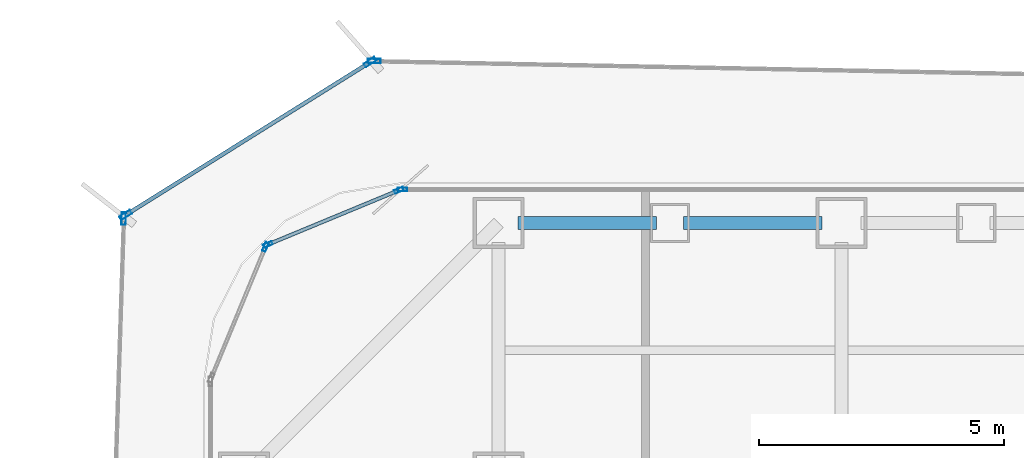
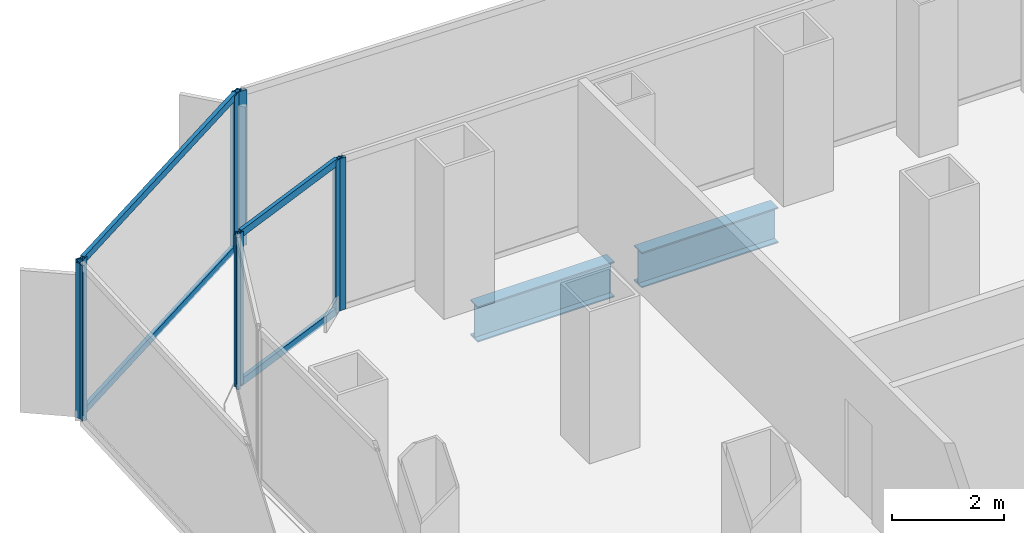
# One storey, part 11 of 22: 12 members, 2 beams, 6 elements without a shape of their own.
"""IFC4 building model written with IfcOpenShell, lengths in metres."""

from ifc_helpers import new_model, si_unit, direction, frame, origin, origin_2d, place, context, subcontext, project, spatial, hollow_rectangle, i_section, extrude, source, transform, mapped, material, layer, layer_set, material_profile, profile_set, type_object, element, aggregate, save


model = new_model("IFC4")

# Units and contexts
model_context = context("Model", 3, precision=1e-05, world=origin(), true_north=direction((0.0, 1.0)))
body_context = subcontext(model_context, "Body", "Model", "MODEL_VIEW")
ifc_project = project(units=[si_unit("LENGTHUNIT", "METRE"), si_unit("AREAUNIT", "SQUARE_METRE"), si_unit("VOLUMEUNIT", "CUBIC_METRE"), si_unit("PLANEANGLEUNIT", "RADIAN"), si_unit("MASSUNIT", "GRAM", prefix="KILO")], contexts=[model_context])

# Site, building, storey
site_placement = place(None, origin())
site = spatial("IfcSite", under=ifc_project, at=site_placement, CompositionType="ELEMENT")
building_placement = place(site_placement, origin())
building = spatial("IfcBuilding", under=site, at=building_placement, Name="Kolveth Station Tower", CompositionType="ELEMENT")
storey_placement = place(building_placement, frame((0.0, 0.0, 51.300048828125)))
storey = spatial("IfcBuildingStorey", under=building, at=storey_placement, Name="L13", CompositionType="ELEMENT", Elevation=51.300048828125)

# Beams
ifc_material_1 = material(Name="Steel S355", Category="steel")
ifc_material_profile_1 = material_profile(ifc_material_1, i_section(OverallWidth=0.26904296875, OverallDepth=0.77490234375, WebThickness=0.01708984375, FlangeThickness=0.0283203125, at=origin_2d()), Name="W760x220")
ifc_profile_set_1 = profile_set([ifc_material_profile_1], Name="Steel S355")
beam_type = type_object("IfcBeamType", Name="Beam_SP1", PredefinedType="SPANDREL", material=ifc_profile_set_1)
shared_shape_1 = source(origin(), body_context, "Body", "SweptSolid", [
    extrude(i_section(OverallWidth=0.26904296875, OverallDepth=0.77490234375, WebThickness=0.01708984375, FlangeThickness=0.0283203125, at=origin_2d()), origin(), (0.0, 0.0, 1.0), 2.820068359375),
])
for number, where, z_axis, x_axis, name in (
    (1, (6.39990234375, 39.699951171875, -0.66748046875), (1.0, 0.0, 0.0), (0.0, 1.0, 0.0), "L13 Perimeter Spandrel BM-L13-PN-1"),
    (2, (9.780029296875, 39.699951171875, -0.66748046875), (1.0, 0.0, 0.0), (0.0, 1.0, 0.0), "L13 Perimeter Spandrel BM-L13-PN-2"),
):
    element("IfcBeam", number, at=place(storey_placement, frame(where, z_axis=z_axis, x_axis=x_axis)), inside=storey, type_object=beam_type, Name=name, PredefinedType="SPANDREL", context=body_context, shape_type="MappedRepresentation", body=[
        mapped(shared_shape_1, transform((0.0, 0.0, 0.0), x_axis=(1.0, 0.0, 0.0), y_axis=(0.0, 1.0, 0.0), z_axis=(0.0, 0.0, 1.0), scale=1.0)),
    ])

# Curtain wall, member
ifc_material_2 = material(Name="Aluminium 6063-T6 and low-E dark glass", Category="aluminium")
ifc_layer_1 = layer(ifc_material_2, 0.179931640625)
ifc_layer_set_1 = layer_set([ifc_layer_1], Name="Aluminium 6063-T6 and low-E dark glass")
curtain_wall_type_1 = type_object("IfcCurtainWallType", Name="CurtainWall_CW-Z1", PredefinedType="NOTDEFINED", material=ifc_layer_set_1)
curtain_wall_1_placement = place(storey_placement, origin())
curtain_wall_1 = element("IfcCurtainWall", 3, at=curtain_wall_1_placement, inside=storey, type_object=curtain_wall_type_1, Name="L13 Inner Thermal Curtain Wall 6", PredefinedType="NOTDEFINED")
ifc_material_3 = material(Name="Black anodized aluminium 6063-T6", Category="aluminium")
ifc_material_profile_2 = material_profile(ifc_material_3, hollow_rectangle(XDim=0.074951171875, YDim=0.18994140625, WallThickness=0.0048828125, at=origin_2d()), Name="ALU-75x190x5")
ifc_profile_set_2 = profile_set([ifc_material_profile_2], Name="Black anodized aluminium 6063-T6")
member_type_1 = type_object("IfcMemberType", Name="Mullion_ML1", PredefinedType="MULLION", material=ifc_profile_set_2)
shared_shape_2 = source(origin(), body_context, "Body", "SweptSolid", [
    extrude(hollow_rectangle(XDim=0.074951171875, YDim=0.18994140625, WallThickness=0.0048828125, at=origin_2d()), origin(), (0.0, 0.0, 1.0), 3.320068359375),
])
member_1_placement = place(storey_placement, frame((4.03759765625, 40.3798828125, 0.0), z_axis=(0.0, 0.0, 1.0), x_axis=(0.0, -1.0, 0.0)))
member_1 = element("IfcMember", 4, at=member_1_placement, type_object=member_type_1, Name="CW-Z1 mullion 3", PredefinedType="MULLION", context=body_context, shape_type="MappedRepresentation", body=[
    mapped(shared_shape_2, transform((0.0, 0.0, 0.0), x_axis=(1.0, 0.0, 0.0), y_axis=(0.0, 1.0, 0.0), z_axis=(0.0, 0.0, 1.0), scale=1.0)),
])
aggregate(curtain_wall_1, [member_1])

# Curtain wall, members
curtain_wall_2_placement = place(storey_placement, origin())
curtain_wall_2 = element("IfcCurtainWall", 5, at=curtain_wall_2_placement, inside=storey, type_object=curtain_wall_type_1, Name="L13 Inner Thermal Curtain Wall 7", PredefinedType="NOTDEFINED")
member_2_placement = place(storey_placement, frame((3.96533203125, 40.36572265625, 0.0), z_axis=(0.0, 0.0, 1.0), x_axis=(0.382672990201, -0.923883857728, 0.0)))
member_2 = element("IfcMember", 6, at=member_2_placement, type_object=member_type_1, Name="CW-Z1 mullion 1", PredefinedType="MULLION", context=body_context, shape_type="MappedRepresentation", body=[
    mapped(shared_shape_2, transform((0.0, 0.0, 0.0), x_axis=(1.0, 0.0, 0.0), y_axis=(0.0, 1.0, 0.0), z_axis=(0.0, 0.0, 1.0), scale=1.0)),
])
member_3_placement = place(storey_placement, frame((1.291015625, 39.258056640625, 0.0), z_axis=(0.0, 0.0, 1.0), x_axis=(0.382672990201, -0.923883857728, 0.0)))
member_3 = element("IfcMember", 7, at=member_3_placement, type_object=member_type_1, Name="CW-Z1 mullion 2", PredefinedType="MULLION", context=body_context, shape_type="MappedRepresentation", body=[
    mapped(shared_shape_2, transform((0.0, 0.0, 0.0), x_axis=(1.0, 0.0, 0.0), y_axis=(0.0, 1.0, 0.0), z_axis=(0.0, 0.0, 1.0), scale=1.0)),
])

# Curtain wall, member
curtain_wall_3_placement = place(storey_placement, origin())
curtain_wall_3 = element("IfcCurtainWall", 8, at=curtain_wall_3_placement, inside=storey, type_object=curtain_wall_type_1, Name="L13 Inner Thermal Curtain Wall 8", PredefinedType="NOTDEFINED")
member_4_placement = place(storey_placement, frame((1.241943359375, 39.208984375, 0.0), z_axis=(0.0, 0.0, 1.0), x_axis=(0.923883857728, -0.382672990201, 0.0)))
member_4 = element("IfcMember", 9, at=member_4_placement, type_object=member_type_1, Name="CW-Z1 mullion 1", PredefinedType="MULLION", context=body_context, shape_type="MappedRepresentation", body=[
    mapped(shared_shape_2, transform((0.0, 0.0, 0.0), x_axis=(1.0, 0.0, 0.0), y_axis=(0.0, 1.0, 0.0), z_axis=(0.0, 0.0, 1.0), scale=1.0)),
])
aggregate(curtain_wall_3, [member_4])

# Member
ifc_material_profile_3 = material_profile(ifc_material_3, hollow_rectangle(XDim=0.074951171875, YDim=0.159912109375, WallThickness=0.0048828125, at=origin_2d()), Name="ALU-75x160x5")
ifc_profile_set_3 = profile_set([ifc_material_profile_3], Name="Black anodized aluminium 6063-T6")
member_type_2 = type_object("IfcMemberType", Name="Transom_TR1", PredefinedType="USERDEFINED", material=ifc_profile_set_3)
shared_shape_3 = source(origin(), body_context, "Body", "SweptSolid", [
    extrude(hollow_rectangle(XDim=0.074951171875, YDim=0.159912109375, WallThickness=0.0048828125, at=origin_2d()), origin(), (0.0, 0.0, 1.0), 2.819580078125),
])
member_5_placement = place(storey_placement, frame((3.9306640625, 40.351318359375, 0.037353515625), z_axis=(-0.923869084389, -0.382708655389, 0.0), x_axis=(0.382708655389, -0.923869084389, 0.0)))
member_5 = element("IfcMember", 10, at=member_5_placement, type_object=member_type_2, Name="CW-Z1 transom 1.1", ObjectType="TRANSOM", PredefinedType="USERDEFINED", context=body_context, shape_type="MappedRepresentation", body=[
    mapped(shared_shape_3, transform((0.0, 0.0, 0.0), x_axis=(1.0, 0.0, 0.0), y_axis=(0.0, 1.0, 0.0), z_axis=(0.0, 0.0, 1.0), scale=1.0)),
])

member_6_placement = place(storey_placement, frame((3.9306640625, 40.351318359375, 3.282470703125), z_axis=(-0.923869084389, -0.382708655389, 0.0), x_axis=(0.382708655389, -0.923869084389, 0.0)))
member_6 = element("IfcMember", 11, at=member_6_placement, type_object=member_type_2, Name="CW-Z1 transom 1.2", ObjectType="TRANSOM", PredefinedType="USERDEFINED", context=body_context, shape_type="MappedRepresentation", body=[
    mapped(shared_shape_3, transform((0.0, 0.0, 0.0), x_axis=(1.0, 0.0, 0.0), y_axis=(0.0, 1.0, 0.0), z_axis=(0.0, 0.0, 1.0), scale=1.0)),
])

aggregate(curtain_wall_2, [member_2, member_3, member_5, member_6])

# Curtain wall, member
ifc_material_4 = material(Name="Black anodized aluminium 6063-T6 and dark solar glass", Category="aluminium")
ifc_layer_2 = layer(ifc_material_4, 0.159912109375)
ifc_layer_set_2 = layer_set([ifc_layer_2], Name="Black anodized aluminium 6063-T6 and dark solar glass")
curtain_wall_type_2 = type_object("IfcCurtainWallType", Name="OUTER SKIN CW-OS", PredefinedType="NOTDEFINED", material=ifc_layer_set_2)
curtain_wall_4_placement = place(storey_placement, origin())
curtain_wall_4 = element("IfcCurtainWall", 12, at=curtain_wall_4_placement, inside=storey, type_object=curtain_wall_type_2, Name="L13 Outer Ventilated Skin Curtain Wall 4", PredefinedType="NOTDEFINED")
ifc_material_profile_4 = material_profile(ifc_material_3, hollow_rectangle(XDim=0.090087890625, YDim=0.260009765625, WallThickness=0.0048828125, at=origin_2d()), Name="ALU-90x260x5")
ifc_profile_set_4 = profile_set([ifc_material_profile_4], Name="Black anodized aluminium 6063-T6")
member_type_3 = type_object("IfcMemberType", Name="FIN MULLION ML-OS", PredefinedType="MULLION", material=ifc_profile_set_4)
shared_shape_4 = source(origin(), body_context, "Body", "SweptSolid", [
    extrude(hollow_rectangle(XDim=0.090087890625, YDim=0.260009765625, WallThickness=0.0048828125, at=origin_2d()), origin(), (0.0, 0.0, 1.0), 3.389892578125),
])
member_7_placement = place(storey_placement, frame((3.461669921875, 43.00439453125, 0.0), z_axis=(0.0, 0.0, 1.0), x_axis=(-0.019613600295, -0.99980763484, 0.0)))
member_7 = element("IfcMember", 13, at=member_7_placement, type_object=member_type_3, Name="CW-OS mullion 2", PredefinedType="MULLION", context=body_context, shape_type="MappedRepresentation", body=[
    mapped(shared_shape_4, transform((0.0, 0.0, 0.0), x_axis=(1.0, 0.0, 0.0), y_axis=(0.0, 1.0, 0.0), z_axis=(0.0, 0.0, 1.0), scale=1.0)),
])
aggregate(curtain_wall_4, [member_7])

# Curtain wall, members
curtain_wall_5_placement = place(storey_placement, origin())
curtain_wall_5 = element("IfcCurtainWall", 14, at=curtain_wall_5_placement, inside=storey, type_object=curtain_wall_type_2, Name="L13 Outer Ventilated Skin Curtain Wall 5", PredefinedType="NOTDEFINED")
member_8_placement = place(storey_placement, frame((3.378662109375, 42.9814453125, 0.0), z_axis=(0.0, 0.0, 1.0), x_axis=(0.530198873457, -0.847873312815, 0.0)))
member_8 = element("IfcMember", 15, at=member_8_placement, type_object=member_type_3, Name="CW-OS mullion 1", PredefinedType="MULLION", context=body_context, shape_type="MappedRepresentation", body=[
    mapped(shared_shape_4, transform((0.0, 0.0, 0.0), x_axis=(1.0, 0.0, 0.0), y_axis=(0.0, 1.0, 0.0), z_axis=(0.0, 0.0, 1.0), scale=1.0)),
])
member_9_placement = place(storey_placement, frame((-1.614501953125, 39.85888671875, 0.0), z_axis=(0.0, 0.0, 1.0), x_axis=(0.530198873457, -0.847873312815, 0.0)))
member_9 = element("IfcMember", 16, at=member_9_placement, type_object=member_type_3, Name="CW-OS mullion 2", PredefinedType="MULLION", context=body_context, shape_type="MappedRepresentation", body=[
    mapped(shared_shape_4, transform((0.0, 0.0, 0.0), x_axis=(1.0, 0.0, 0.0), y_axis=(0.0, 1.0, 0.0), z_axis=(0.0, 0.0, 1.0), scale=1.0)),
])

# Curtain wall, member
curtain_wall_6_placement = place(storey_placement, origin())
curtain_wall_6 = element("IfcCurtainWall", 17, at=curtain_wall_6_placement, inside=storey, type_object=curtain_wall_type_2, Name="L13 Outer Ventilated Skin Curtain Wall 6", PredefinedType="NOTDEFINED")
member_10_placement = place(storey_placement, frame((-1.654052734375, 39.7900390625, 0.0), z_axis=(0.0, 0.0, 1.0), x_axis=(0.999468490786, -0.03259963076, 0.0)))
member_10 = element("IfcMember", 18, at=member_10_placement, type_object=member_type_3, Name="CW-OS mullion 1", PredefinedType="MULLION", context=body_context, shape_type="MappedRepresentation", body=[
    mapped(shared_shape_4, transform((0.0, 0.0, 0.0), x_axis=(1.0, 0.0, 0.0), y_axis=(0.0, 1.0, 0.0), z_axis=(0.0, 0.0, 1.0), scale=1.0)),
])
aggregate(curtain_wall_6, [member_10])

# Member
ifc_material_profile_5 = material_profile(ifc_material_3, hollow_rectangle(XDim=0.080078125, YDim=0.14990234375, WallThickness=0.0048828125, at=origin_2d()), Name="ALU-80x150x5")
ifc_profile_set_5 = profile_set([ifc_material_profile_5], Name="Black anodized aluminium 6063-T6")
member_type_4 = type_object("IfcMemberType", Name="Transom_TR-OS", PredefinedType="USERDEFINED", material=ifc_profile_set_5)
shared_shape_5 = source(origin(), body_context, "Body", "SweptSolid", [
    extrude(hollow_rectangle(XDim=0.080078125, YDim=0.14990234375, WallThickness=0.0048828125, at=origin_2d()), origin(), (0.0, 0.0, 1.0), 5.799072265625),
])
member_11_placement = place(storey_placement, frame((3.340576171875, 42.95751953125, 0.0400390625), z_axis=(-0.847875295123, -0.530195703415, 0.0), x_axis=(0.530195703415, -0.847875295123, 0.0)))
member_11 = element("IfcMember", 19, at=member_11_placement, type_object=member_type_4, Name="CW-OS transom 1.1", ObjectType="TRANSOM", PredefinedType="USERDEFINED", context=body_context, shape_type="MappedRepresentation", body=[
    mapped(shared_shape_5, transform((0.0, 0.0, 0.0), x_axis=(1.0, 0.0, 0.0), y_axis=(0.0, 1.0, 0.0), z_axis=(0.0, 0.0, 1.0), scale=1.0)),
])

member_12_placement = place(storey_placement, frame((3.340576171875, 42.95751953125, 3.349853515625), z_axis=(-0.847875295123, -0.530195703415, 0.0), x_axis=(0.530195703415, -0.847875295123, 0.0)))
member_12 = element("IfcMember", 20, at=member_12_placement, type_object=member_type_4, Name="CW-OS transom 1.2", ObjectType="TRANSOM", PredefinedType="USERDEFINED", context=body_context, shape_type="MappedRepresentation", body=[
    mapped(shared_shape_5, transform((0.0, 0.0, 0.0), x_axis=(1.0, 0.0, 0.0), y_axis=(0.0, 1.0, 0.0), z_axis=(0.0, 0.0, 1.0), scale=1.0)),
])

aggregate(curtain_wall_5, [member_8, member_9, member_11, member_12])

save(model, "model.ifc")
